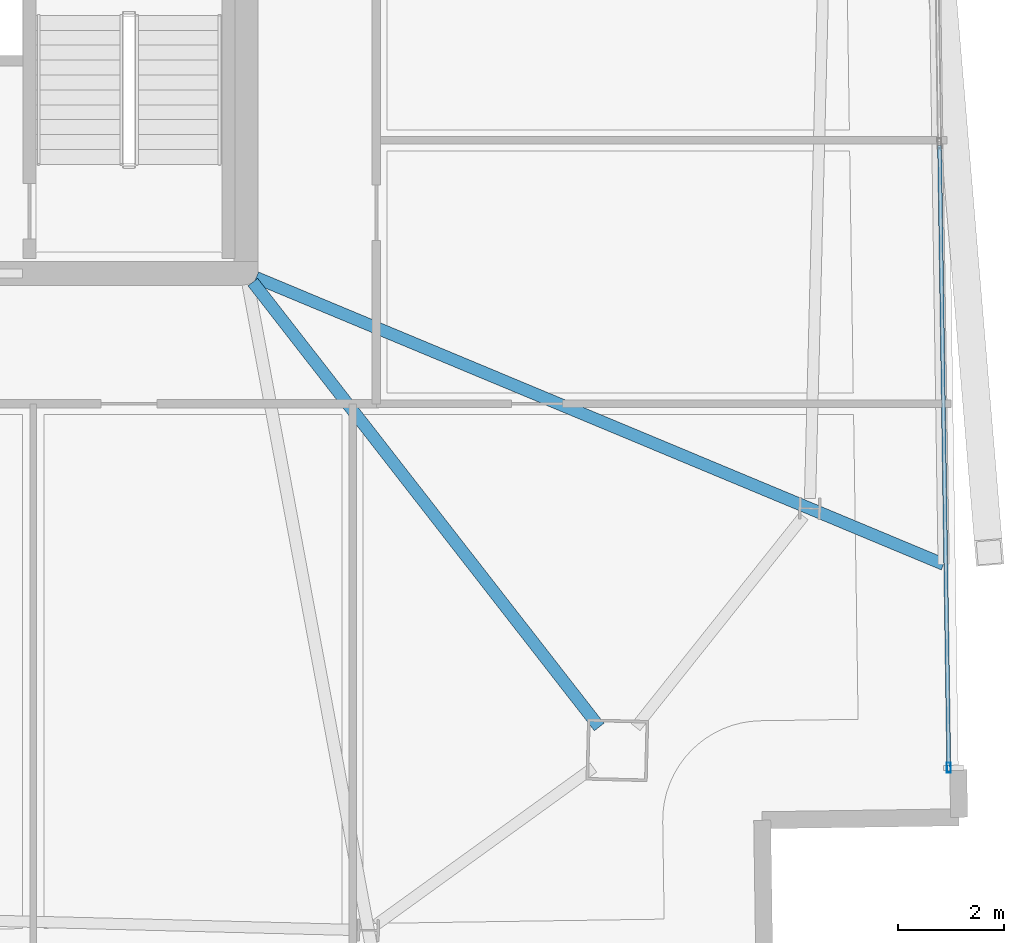
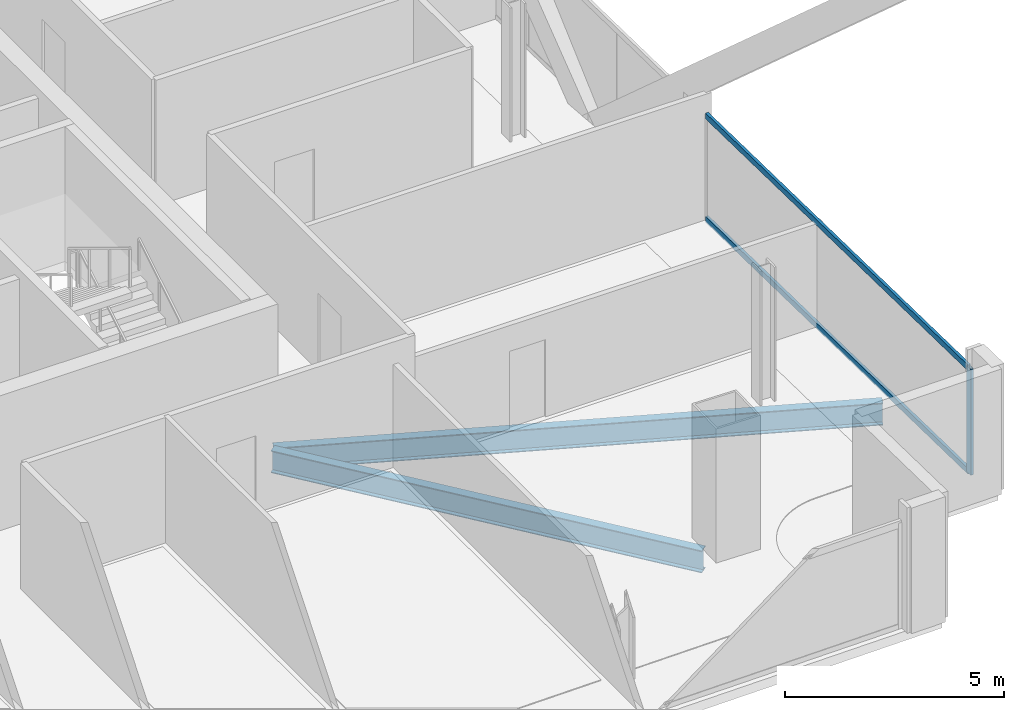
# One storey, part 10 of 25: 3 members, 2 beams, 1 element without a shape of its own.
"""IFC4 building model written with IfcOpenShell, lengths in metres."""

from ifc_helpers import new_model, si_unit, direction, frame, origin, origin_2d, place, context, subcontext, project, spatial, hollow_rectangle, i_section, extrude, material, material_profile, profile_set, type_object, element, aggregate, save


model = new_model("IFC4")

# Units and contexts
model_context = context("Model", 3, precision=1e-05, world=origin(), true_north=direction((0.0, 1.0)))
body_context = subcontext(model_context, "Body", "Model", "MODEL_VIEW")
ifc_project = project(units=[si_unit("LENGTHUNIT", "METRE"), si_unit("AREAUNIT", "SQUARE_METRE"), si_unit("VOLUMEUNIT", "CUBIC_METRE"), si_unit("PLANEANGLEUNIT", "RADIAN"), si_unit("MASSUNIT", "GRAM", prefix="KILO")], contexts=[model_context])

# Site, building, storey
site_placement = place(None, origin())
site = spatial("IfcSite", under=ifc_project, at=site_placement, CompositionType="ELEMENT")
building_placement = place(site_placement, origin())
building = spatial("IfcBuilding", under=site, at=building_placement, Name="Haldenkirk Collegiate Tower", CompositionType="ELEMENT")
storey_placement = place(building_placement, frame((0.0, 0.0, 332.699951171875)))
storey = spatial("IfcBuildingStorey", under=building, at=storey_placement, Name="L84", CompositionType="ELEMENT", Elevation=332.699951171875)

# Beams
ifc_material_1 = material(Name="Steel ASTM A992 Grade 50", Category="steel")
ifc_material_profile_1 = material_profile(ifc_material_1, i_section(OverallWidth=0.22998046875, OverallDepth=0.616943359375, WebThickness=0.01318359375, FlangeThickness=0.022216796875, at=origin_2d()), Name="W24X94")
ifc_profile_set_1 = profile_set([ifc_material_profile_1], Name="Steel ASTM A992 Grade 50")
beam_type = type_object("IfcBeamType", Name="BM-GIRDER-W24X94", PredefinedType="BEAM", material=ifc_profile_set_1)
beam_1_placement = place(storey_placement, frame((51.635009765625, 9.478271484375, -0.568359375), z_axis=(-0.614347328176, 0.789035715518, 0.0), x_axis=(-0.789035715518, -0.614347328176, 0.0)))
element("IfcBeam", 1, at=beam_1_placement, inside=storey, type_object=beam_type, Name="L84 primary floor girder 01", PredefinedType="BEAM", context=body_context, shape_type="SweptSolid", body=[
    extrude(i_section(OverallWidth=0.22998046875, OverallDepth=0.616943359375, WebThickness=0.01318359375, FlangeThickness=0.022216796875, at=origin_2d()), origin(), (0.0, 0.0, 1.0), 10.594970703125),
])
beam_2_placement = place(storey_placement, frame((58.107177734375, 12.535888671875, -0.568359375), z_axis=(-0.923006718086, 0.384783833299, 0.0), x_axis=(-0.384783833299, -0.923006718086, 0.0)))
element("IfcBeam", 2, at=beam_2_placement, inside=storey, type_object=beam_type, Name="L84 primary floor girder 05", PredefinedType="BEAM", context=body_context, shape_type="SweptSolid", body=[
    extrude(i_section(OverallWidth=0.22998046875, OverallDepth=0.616943359375, WebThickness=0.01318359375, FlangeThickness=0.022216796875, at=origin_2d()), origin(), (0.0, 0.0, 1.0), 13.99560546875),
])

# Curtain wall, members
ifc_material_2 = material(Name="Anodised architectural bronze aluminium", Category="aluminium")
curtain_wall_type = type_object("IfcCurtainWallType", Name="CW-SYS2-CONCAVE", PredefinedType="USERDEFINED", material=ifc_material_2)
curtain_wall_placement = place(storey_placement, origin())
curtain_wall = element("IfcCurtainWall", 3, at=curtain_wall_placement, inside=storey, type_object=curtain_wall_type, Name="L84 South concave recessed bronze-anodised curtain wall", ObjectType="UNITISED CURTAIN WALL", PredefinedType="USERDEFINED")
ifc_material_profile_2 = material_profile(ifc_material_2, hollow_rectangle(XDim=0.074951171875, YDim=0.18994140625, WallThickness=0.0048828125, at=origin_2d()), Name="CW-MUL-02")
ifc_profile_set_2 = profile_set([ifc_material_profile_2], Name="Anodised architectural bronze aluminium")
member_type_1 = type_object("IfcMemberType", Name="CW-MUL-02", PredefinedType="MULLION", material=ifc_profile_set_2)
member_1_placement = place(storey_placement, frame((58.203857421875, 8.715087890625, 0.0), z_axis=(0.0, 0.0, 1.0), x_axis=(0.99988998696, 0.014832868138, 0.0)))
member_1 = element("IfcMember", 4, at=member_1_placement, type_object=member_type_1, Name="CW-02 mullion 4", PredefinedType="MULLION", context=body_context, shape_type="SweptSolid", body=[
    extrude(hollow_rectangle(XDim=0.074951171875, YDim=0.18994140625, WallThickness=0.0048828125, at=origin_2d()), origin(), (0.0, 0.0, 1.0), 2.947998046875),
])
ifc_material_profile_3 = material_profile(ifc_material_2, hollow_rectangle(XDim=0.074951171875, YDim=0.159912109375, WallThickness=0.0048828125, at=origin_2d()), Name="CW-TRN-02")
ifc_profile_set_3 = profile_set([ifc_material_profile_3], Name="Anodised architectural bronze aluminium")
member_type_2 = type_object("IfcMemberType", Name="CW-TRN-02", PredefinedType="USERDEFINED", material=ifc_profile_set_3)
member_2_placement = place(storey_placement, frame((58.030517578125, 20.4052734375, 0.03759765625), z_axis=(0.014831806451, -0.999890002709, 0.0), x_axis=(0.999890002709, 0.014831806451, 0.0)))
member_2 = element("IfcMember", 5, at=member_2_placement, type_object=member_type_2, Name="CW-02 transom 3.1", ObjectType="TRANSOM", PredefinedType="USERDEFINED", context=body_context, shape_type="SweptSolid", body=[
    extrude(hollow_rectangle(XDim=0.074951171875, YDim=0.159912109375, WallThickness=0.0048828125, at=origin_2d()), origin(), (0.0, 0.0, 1.0), 11.654052734375),
])
member_3_placement = place(storey_placement, frame((58.030517578125, 20.4052734375, 2.91064453125), z_axis=(0.014831806451, -0.999890002709, 0.0), x_axis=(0.999890002709, 0.014831806451, 0.0)))
member_3 = element("IfcMember", 6, at=member_3_placement, type_object=member_type_2, Name="CW-02 transom 3.2", ObjectType="TRANSOM", PredefinedType="USERDEFINED", context=body_context, shape_type="SweptSolid", body=[
    extrude(hollow_rectangle(XDim=0.074951171875, YDim=0.159912109375, WallThickness=0.0048828125, at=origin_2d()), origin(), (0.0, 0.0, 1.0), 11.654052734375),
])
aggregate(curtain_wall, [member_1, member_2, member_3])

save(model, "model.ifc")
